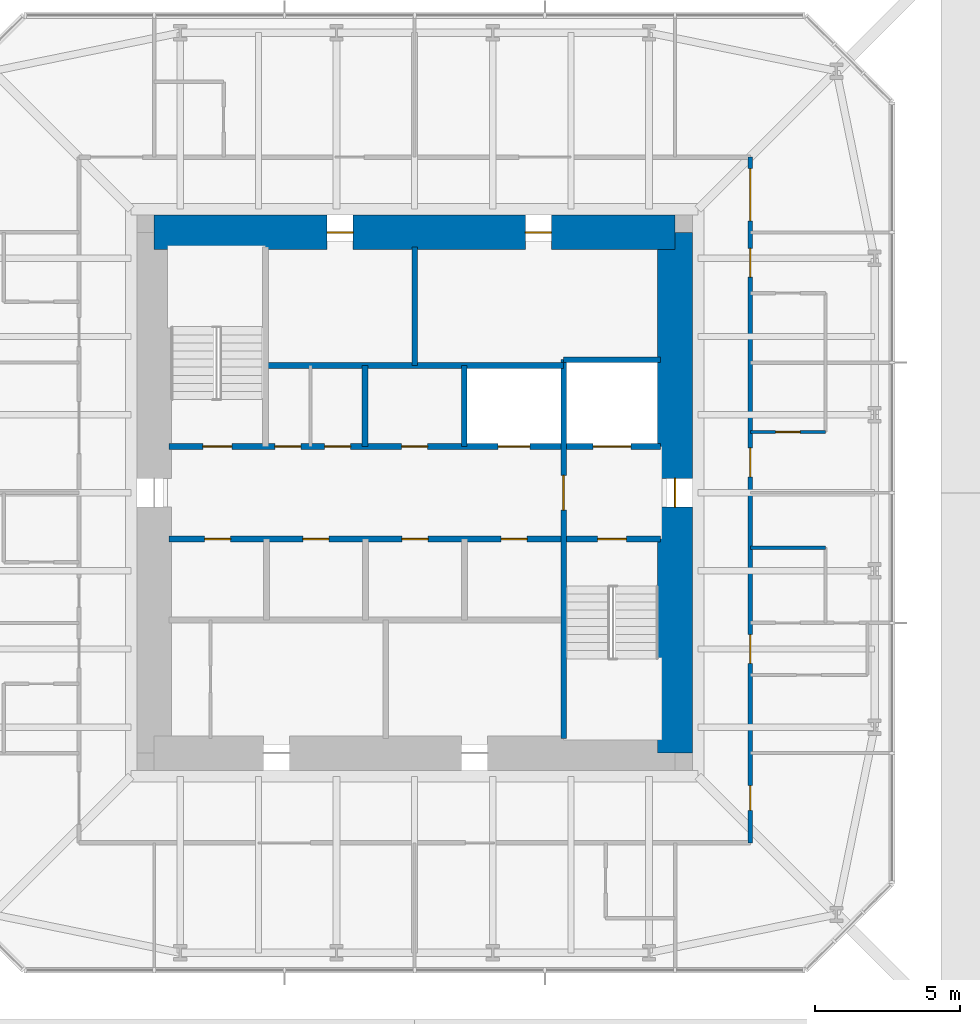
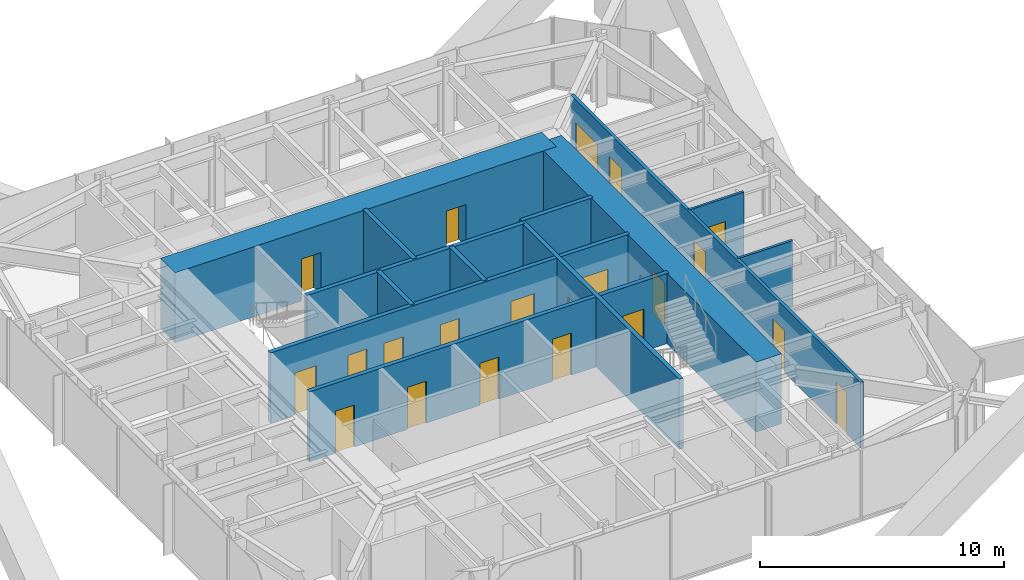
# One storey, part 8 of 10: 21 doors, 13 walls, 21 openings.
"""IFC4 building model written with IfcOpenShell, lengths in metres."""

from ifc_helpers import new_model, si_unit, direction, frame, frame_2d, origin, place, context, subcontext, project, spatial, rectangle, extrude, material, layer, layer_set, type_object, element, fill, save


model = new_model("IFC4")

# Units and contexts
model_context = context("Model", 3, precision=1e-05, world=origin(), true_north=direction((0.0, 1.0)))
body_context = subcontext(model_context, "Body", "Model", "MODEL_VIEW")
ifc_project = project(units=[si_unit("LENGTHUNIT", "METRE"), si_unit("AREAUNIT", "SQUARE_METRE"), si_unit("VOLUMEUNIT", "CUBIC_METRE"), si_unit("PLANEANGLEUNIT", "RADIAN"), si_unit("MASSUNIT", "GRAM", prefix="KILO")], contexts=[model_context])

# Site, building, storey
site_placement = place(None, origin())
site = spatial("IfcSite", under=ifc_project, at=site_placement, CompositionType="ELEMENT")
building_placement = place(site_placement, origin())
building = spatial("IfcBuilding", under=site, at=building_placement, Name="Iwan Alto Co-Living Towers", CompositionType="ELEMENT")
storey_placement = place(building_placement, frame((0.0, 0.0, 260.5)))
storey = spatial("IfcBuildingStorey", under=building, at=storey_placement, Name="L71", CompositionType="ELEMENT", Elevation=260.5)

# Wall, openings, doors
ifc_material_1 = material(Name="Gypsum board")
ifc_layer_1 = layer(ifc_material_1, 0.02490234375, Name="Board", Category="Finish")
ifc_material_2 = material(Name="Steel ASTM A1003 ST33H cold-formed studs", Category="steel")
ifc_layer_2 = layer(ifc_material_2, 0.10009765625, Name="Studs", Category="Framing")
ifc_layer_3 = layer(ifc_material_1, 0.02490234375, Name="Board", Category="Finish")
ifc_layer_set_1 = layer_set([ifc_layer_1, ifc_layer_2, ifc_layer_3], Name="CORRIDOR WALL 150")
wall_type_1 = type_object("IfcWallType", Name="CORRIDOR WALL 150", PredefinedType="PARTITIONING", material=ifc_layer_set_1)
wall_1_placement = place(storey_placement, frame((11.60009765625, -12.10009765625, 0.0), z_axis=(0.0, 0.0, 1.0), x_axis=(0.0, 1.0, 0.0)))
wall_1 = element("IfcWall", 1, at=wall_1_placement, inside=storey, type_object=wall_type_1, Name="Partition L71", PredefinedType="PARTITIONING", context=body_context, shape_type="SweptSolid", body=[
    extrude(rectangle(XDim=23.7001953125, YDim=0.14990234375, at=frame_2d((11.85009765625, 0.0))), origin(), (0.0, 0.0, 1.0), 3.27001953125),
])
opening_1_placement = place(wall_1_placement, frame((6.199951171875, 0.0, 0.0)))
opening_1 = element("IfcOpeningElement", 2, at=opening_1_placement, cuts=wall_1, Name="Opening D3", PredefinedType="OPENING", context=body_context, shape_type="SweptSolid", body=[
    extrude(rectangle(XDim=1.0, YDim=2.10009765625, at=frame_2d((0.5, 1.050048828125))), frame((0.0, 0.0849609375, 0.0), z_axis=(0.0, -1.0, 0.0), x_axis=(1.0, 0.0, 0.0)), (0.0, 0.0, 1.0), 0.169921875),
])
opening_2_placement = place(wall_1_placement, frame((12.64990234375, 0.0, 0.0)))
opening_2 = element("IfcOpeningElement", 3, at=opening_2_placement, cuts=wall_1, Name="Opening D3", PredefinedType="OPENING", context=body_context, shape_type="SweptSolid", body=[
    extrude(rectangle(XDim=1.0, YDim=2.10009765625, at=frame_2d((0.5, 1.050048828125))), frame((0.0, 0.0849609375, 0.0), z_axis=(0.0, -1.0, 0.0), x_axis=(1.0, 0.0, 0.0)), (0.0, 0.0, 1.0), 0.169921875),
])
opening_3_placement = place(wall_1_placement, frame((19.550048828125, 0.0, 0.0)))
opening_3 = element("IfcOpeningElement", 4, at=opening_3_placement, cuts=wall_1, Name="Opening D3", PredefinedType="OPENING", context=body_context, shape_type="SweptSolid", body=[
    extrude(rectangle(XDim=1.0, YDim=2.10009765625, at=frame_2d((0.5, 1.050048828125))), frame((0.0, 0.0849609375, 0.0), z_axis=(0.0, -1.0, 0.0), x_axis=(1.0, 0.0, 0.0)), (0.0, 0.0, 1.0), 0.169921875),
])
opening_4_placement = place(wall_1_placement, frame((21.5, 0.0, 0.0)))
opening_4 = element("IfcOpeningElement", 5, at=opening_4_placement, cuts=wall_1, Name="Opening D9", PredefinedType="OPENING", context=body_context, shape_type="SweptSolid", body=[
    extrude(rectangle(XDim=1.800048828125, YDim=2.10009765625, at=frame_2d((0.89990234375, 1.050048828125))), frame((0.0, 0.0849609375, 0.0), z_axis=(0.0, -1.0, 0.0), x_axis=(1.0, 0.0, 0.0)), (0.0, 0.0, 1.0), 0.169921875),
])
opening_5_placement = place(wall_1_placement, frame((1.125, 0.0, 0.0)))
opening_5 = element("IfcOpeningElement", 6, at=opening_5_placement, cuts=wall_1, Name="Opening D2", PredefinedType="OPENING", context=body_context, shape_type="SweptSolid", body=[
    extrude(rectangle(XDim=0.85009765625, YDim=2.10009765625, at=frame_2d((0.425048828125, 1.050048828125))), frame((0.0, 0.0849609375, 0.0), z_axis=(0.0, -1.0, 0.0), x_axis=(1.0, 0.0, 0.0)), (0.0, 0.0, 1.0), 0.169921875),
])
ifc_material_3 = material(Name="Steel frame with timber leaf", Category="steel")
door_type_1 = type_object("IfcDoorType", Name="FLAT ENTRANCE DOOR FD30S 1000X2100", OperationType="SINGLE_SWING_LEFT", PredefinedType="DOOR", material=ifc_material_3)
door_1_placement = place(opening_1_placement, frame((1.0, 0.0, 0.0), z_axis=(0.0, 0.0, 1.0), x_axis=(-1.0, 0.0, 0.0)))
door_1 = element("IfcDoor", 7, at=door_1_placement, inside=storey, type_object=door_type_1, Name="Apartment foyer door L71", OperationType="SINGLE_SWING_RIGHT", OverallHeight=2.10009765625, OverallWidth=1.0, PredefinedType="DOOR", context=body_context, shape_type="SweptSolid", body=[
    extrude(rectangle(XDim=1.0, YDim=2.10009765625, at=frame_2d((0.5, 1.050048828125))), frame((0.0, 0.02490234375, 0.0), z_axis=(0.0, -1.0, 0.0), x_axis=(1.0, 0.0, 0.0)), (0.0, 0.0, 1.0), 0.050048828125),
])
fill(opening_1, door_1)
door_2_placement = place(opening_2_placement, frame((1.0, 0.0, 0.0), z_axis=(0.0, 0.0, 1.0), x_axis=(-1.0, 0.0, 0.0)))
door_2 = element("IfcDoor", 8, at=door_2_placement, inside=storey, type_object=door_type_1, Name="Studio door L71", OperationType="SINGLE_SWING_RIGHT", OverallHeight=2.10009765625, OverallWidth=1.0, PredefinedType="DOOR", context=body_context, shape_type="SweptSolid", body=[
    extrude(rectangle(XDim=1.0, YDim=2.10009765625, at=frame_2d((0.5, 1.050048828125))), frame((0.0, 0.02490234375, 0.0), z_axis=(0.0, -1.0, 0.0), x_axis=(1.0, 0.0, 0.0)), (0.0, 0.0, 1.0), 0.050048828125),
])
fill(opening_2, door_2)
door_3_placement = place(opening_3_placement, frame((1.0, 0.0, 0.0), z_axis=(0.0, 0.0, 1.0), x_axis=(-1.0, 0.0, 0.0)))
door_3 = element("IfcDoor", 9, at=door_3_placement, inside=storey, type_object=door_type_1, Name="Studio door L71", OperationType="SINGLE_SWING_RIGHT", OverallHeight=2.10009765625, OverallWidth=1.0, PredefinedType="DOOR", context=body_context, shape_type="SweptSolid", body=[
    extrude(rectangle(XDim=1.0, YDim=2.10009765625, at=frame_2d((0.5, 1.050048828125))), frame((0.0, 0.02490234375, 0.0), z_axis=(0.0, -1.0, 0.0), x_axis=(1.0, 0.0, 0.0)), (0.0, 0.0, 1.0), 0.050048828125),
])
fill(opening_3, door_3)
ifc_material_4 = material(Name="Steel frame with timber leaf", Category="steel")
door_type_2 = type_object("IfcDoorType", Name="LOUNGE DOOR FD30S 1800X2100", OperationType="DOUBLE_DOOR_SINGLE_SWING", PredefinedType="DOOR", material=ifc_material_4)
door_4_placement = place(opening_4_placement, frame((1.800048828125, 0.0, 0.0), z_axis=(0.0, 0.0, 1.0), x_axis=(-1.0, 0.0, 0.0)))
door_4 = element("IfcDoor", 10, at=door_4_placement, inside=storey, type_object=door_type_2, Name="Study lounge door L71", OperationType="DOUBLE_DOOR_SINGLE_SWING", OverallHeight=2.10009765625, OverallWidth=1.800048828125, PredefinedType="DOOR", context=body_context, shape_type="SweptSolid", body=[
    extrude(rectangle(XDim=1.800048828125, YDim=2.10009765625, at=frame_2d((0.89990234375, 1.050048828125))), frame((0.0, 0.02490234375, 0.0), z_axis=(0.0, -1.0, 0.0), x_axis=(1.0, 0.0, 0.0)), (0.0, 0.0, 1.0), 0.050048828125),
])
fill(opening_4, door_4)
ifc_material_5 = material(Name="Timber leaf in steel frame", Category="steel")
door_type_3 = type_object("IfcDoorType", Name="ROOM DOOR 850X2100", OperationType="SINGLE_SWING_LEFT", PredefinedType="DOOR", material=ifc_material_5)
door_5_placement = place(opening_5_placement, frame((0.85009765625, 0.0, 0.0), z_axis=(0.0, 0.0, 1.0), x_axis=(-1.0, 0.0, 0.0)))
door_5 = element("IfcDoor", 11, at=door_5_placement, inside=storey, type_object=door_type_3, Name="Shared kitchen and lounge door L71", OperationType="SINGLE_SWING_LEFT", OverallHeight=2.10009765625, OverallWidth=0.85009765625, PredefinedType="DOOR", context=body_context, shape_type="SweptSolid", body=[
    extrude(rectangle(XDim=0.85009765625, YDim=2.10009765625, at=frame_2d((0.425048828125, 1.050048828125))), frame((0.0, 0.02490234375, 0.0), z_axis=(0.0, -1.0, 0.0), x_axis=(1.0, 0.0, 0.0)), (0.0, 0.0, 1.0), 0.050048828125),
])
fill(opening_5, door_5)

ifc_material_6 = material(Name="Concrete f'c 70 MPa", Category="concrete")
ifc_layer_4 = layer(ifc_material_6, 0.199951171875)
ifc_layer_set_2 = layer_set([ifc_layer_4], Name="SHAFT WALL 200")
wall_type_2 = type_object("IfcWallType", Name="SHAFT WALL 200", PredefinedType="SOLIDWALL", material=ifc_layer_set_2)
wall_2_placement = place(storey_placement, frame((-8.489990234375, -1.60009765625, 0.0), z_axis=(0.0, 0.0, 1.0), x_axis=(1.0, 0.0, 0.0)))
wall_2 = element("IfcWall", 12, at=wall_2_placement, inside=storey, type_object=wall_type_2, Name="Shaft wall L71", PredefinedType="SOLIDWALL", context=body_context, shape_type="SweptSolid", body=[
    extrude(rectangle(XDim=16.97998046875, YDim=0.199951171875, at=frame_2d((8.489990234375, 0.0))), origin(), (0.0, 0.0, 1.0), 3.5),
])
opening_6_placement = place(wall_2_placement, frame((14.81005859375, 0.0, 0.0)))
opening_6 = element("IfcOpeningElement", 13, at=opening_6_placement, cuts=wall_2, Name="Opening D5", PredefinedType="OPENING", context=body_context, shape_type="SweptSolid", body=[
    extrude(rectangle(XDim=1.0, YDim=2.10009765625, at=frame_2d((0.5, 1.050048828125))), frame((0.0, 0.10986328125, 0.0), z_axis=(0.0, -1.0, 0.0), x_axis=(1.0, 0.0, 0.0)), (0.0, 0.0, 1.0), 0.219970703125),
])
opening_7_placement = place(wall_2_placement, frame((1.23193359375, 0.0, 0.0)))
opening_7 = element("IfcOpeningElement", 14, at=opening_7_placement, cuts=wall_2, Name="Opening D15", PredefinedType="OPENING", context=body_context, shape_type="SweptSolid", body=[
    extrude(rectangle(XDim=0.89990234375, YDim=2.10009765625, at=frame_2d((0.449951171875, 1.050048828125))), frame((0.0, 0.10986328125, 0.0), z_axis=(0.0, -1.0, 0.0), x_axis=(1.0, 0.0, 0.0)), (0.0, 0.0, 1.0), 0.219970703125),
])
opening_8_placement = place(wall_2_placement, frame((4.626953125, 0.0, 0.0)))
opening_8 = element("IfcOpeningElement", 15, at=opening_8_placement, cuts=wall_2, Name="Opening D15", PredefinedType="OPENING", context=body_context, shape_type="SweptSolid", body=[
    extrude(rectangle(XDim=0.89990234375, YDim=2.10009765625, at=frame_2d((0.449951171875, 1.050048828125))), frame((0.0, 0.10986328125, 0.0), z_axis=(0.0, -1.0, 0.0), x_axis=(1.0, 0.0, 0.0)), (0.0, 0.0, 1.0), 0.219970703125),
])
opening_9_placement = place(wall_2_placement, frame((8.052001953125, 0.0, 0.0)))
opening_9 = element("IfcOpeningElement", 16, at=opening_9_placement, cuts=wall_2, Name="Opening D15", PredefinedType="OPENING", context=body_context, shape_type="SweptSolid", body=[
    extrude(rectangle(XDim=0.89990234375, YDim=2.10009765625, at=frame_2d((0.449951171875, 1.050048828125))), frame((0.0, 0.10986328125, 0.0), z_axis=(0.0, -1.0, 0.0), x_axis=(1.0, 0.0, 0.0)), (0.0, 0.0, 1.0), 0.219970703125),
])
opening_10_placement = place(wall_2_placement, frame((11.47802734375, 0.0, 0.0)))
opening_10 = element("IfcOpeningElement", 17, at=opening_10_placement, cuts=wall_2, Name="Opening D15", PredefinedType="OPENING", context=body_context, shape_type="SweptSolid", body=[
    extrude(rectangle(XDim=0.89990234375, YDim=2.10009765625, at=frame_2d((0.449951171875, 1.050048828125))), frame((0.0, 0.10986328125, 0.0), z_axis=(0.0, -1.0, 0.0), x_axis=(1.0, 0.0, 0.0)), (0.0, 0.0, 1.0), 0.219970703125),
])
ifc_material_7 = material(Name="Steel frame with timber leaf", Category="steel")
door_type_4 = type_object("IfcDoorType", Name="CORE ROOM DOOR FD60S 900X2100", OperationType="SINGLE_SWING_LEFT", PredefinedType="DOOR", material=ifc_material_7)
door_6_placement = place(opening_7_placement, frame((0.89990234375, 0.0, 0.0), z_axis=(0.0, 0.0, 1.0), x_axis=(-1.0, 0.0, 0.0)))
door_6 = element("IfcDoor", 18, at=door_6_placement, inside=storey, type_object=door_type_4, Name="Guest pantry door L71", OperationType="SINGLE_SWING_LEFT", OverallHeight=2.10009765625, OverallWidth=0.89990234375, PredefinedType="DOOR", context=body_context, shape_type="SweptSolid", body=[
    extrude(rectangle(XDim=0.89990234375, YDim=2.10009765625, at=frame_2d((0.449951171875, 1.050048828125))), frame((0.0, 0.02490234375, 0.0), z_axis=(0.0, -1.0, 0.0), x_axis=(1.0, 0.0, 0.0)), (0.0, 0.0, 1.0), 0.050048828125),
])
fill(opening_7, door_6)
door_7_placement = place(opening_8_placement, frame((0.89990234375, 0.0, 0.0), z_axis=(0.0, 0.0, 1.0), x_axis=(-1.0, 0.0, 0.0)))
door_7 = element("IfcDoor", 19, at=door_7_placement, inside=storey, type_object=door_type_4, Name="Linen store door L71", OperationType="SINGLE_SWING_RIGHT", OverallHeight=2.10009765625, OverallWidth=0.89990234375, PredefinedType="DOOR", context=body_context, shape_type="SweptSolid", body=[
    extrude(rectangle(XDim=0.89990234375, YDim=2.10009765625, at=frame_2d((0.449951171875, 1.050048828125))), frame((0.0, 0.02490234375, 0.0), z_axis=(0.0, -1.0, 0.0), x_axis=(1.0, 0.0, 0.0)), (0.0, 0.0, 1.0), 0.050048828125),
])
fill(opening_8, door_7)
door_8_placement = place(opening_9_placement, frame((0.89990234375, 0.0, 0.0), z_axis=(0.0, 0.0, 1.0), x_axis=(-1.0, 0.0, 0.0)))
door_8 = element("IfcDoor", 20, at=door_8_placement, inside=storey, type_object=door_type_4, Name="Linen and housekeeping store door L71", OperationType="SINGLE_SWING_RIGHT", OverallHeight=2.10009765625, OverallWidth=0.89990234375, PredefinedType="DOOR", context=body_context, shape_type="SweptSolid", body=[
    extrude(rectangle(XDim=0.89990234375, YDim=2.10009765625, at=frame_2d((0.449951171875, 1.050048828125))), frame((0.0, 0.02490234375, 0.0), z_axis=(0.0, -1.0, 0.0), x_axis=(1.0, 0.0, 0.0)), (0.0, 0.0, 1.0), 0.050048828125),
])
fill(opening_9, door_8)
door_9_placement = place(opening_10_placement, frame((0.89990234375, 0.0, 0.0), z_axis=(0.0, 0.0, 1.0), x_axis=(-1.0, 0.0, 0.0)))
door_9 = element("IfcDoor", 21, at=door_9_placement, inside=storey, type_object=door_type_4, Name="Vending and ice room door L71", OperationType="SINGLE_SWING_RIGHT", OverallHeight=2.10009765625, OverallWidth=0.89990234375, PredefinedType="DOOR", context=body_context, shape_type="SweptSolid", body=[
    extrude(rectangle(XDim=0.89990234375, YDim=2.10009765625, at=frame_2d((0.449951171875, 1.050048828125))), frame((0.0, 0.02490234375, 0.0), z_axis=(0.0, -1.0, 0.0), x_axis=(1.0, 0.0, 0.0)), (0.0, 0.0, 1.0), 0.050048828125),
])
fill(opening_10, door_9)
ifc_material_8 = material(Name="Steel frame with timber leaf", Category="steel")
door_type_5 = type_object("IfcDoorType", Name="STAIR DOOR FD120S 1000X2100", OperationType="SINGLE_SWING_LEFT", PredefinedType="DOOR", material=ifc_material_8)
door_10_placement = place(opening_6_placement, frame((1.0, 0.0, 0.0), z_axis=(0.0, 0.0, 1.0), x_axis=(-1.0, 0.0, 0.0)))
door_10 = element("IfcDoor", 22, at=door_10_placement, inside=storey, type_object=door_type_5, Name="Stair S2 door L71", OperationType="SINGLE_SWING_RIGHT", OverallHeight=2.10009765625, OverallWidth=1.0, PredefinedType="DOOR", context=body_context, shape_type="SweptSolid", body=[
    extrude(rectangle(XDim=1.0, YDim=2.10009765625, at=frame_2d((0.5, 1.050048828125))), frame((0.0, 0.02490234375, 0.0), z_axis=(0.0, -1.0, 0.0), x_axis=(1.0, 0.0, 0.0)), (0.0, 0.0, 1.0), 0.050048828125),
])
fill(opening_6, door_10)

wall_3_placement = place(storey_placement, frame((-8.489990234375, 1.60009765625, 0.0), z_axis=(0.0, 0.0, 1.0), x_axis=(1.0, 0.0, 0.0)))
wall_3 = element("IfcWall", 23, at=wall_3_placement, inside=storey, type_object=wall_type_2, Name="Shaft wall L71", PredefinedType="SOLIDWALL", context=body_context, shape_type="SweptSolid", body=[
    extrude(rectangle(XDim=16.97998046875, YDim=0.199951171875, at=frame_2d((8.489990234375, 0.0))), origin(), (0.0, 0.0, 1.0), 3.5),
])
opening_11_placement = place(wall_3_placement, frame((1.169921875, 0.0, 0.0)))
opening_11 = element("IfcOpeningElement", 24, at=opening_11_placement, cuts=wall_3, Name="Opening D5", PredefinedType="OPENING", context=body_context, shape_type="SweptSolid", body=[
    extrude(rectangle(XDim=1.0, YDim=2.10009765625, at=frame_2d((0.5, 1.050048828125))), frame((0.0, 0.10986328125, 0.0), z_axis=(0.0, -1.0, 0.0), x_axis=(1.0, 0.0, 0.0)), (0.0, 0.0, 1.0), 0.219970703125),
])
opening_12_placement = place(wall_3_placement, frame((5.37890625, 0.0, 0.0)))
opening_12 = element("IfcOpeningElement", 25, at=opening_12_placement, cuts=wall_3, Name="Opening D15", PredefinedType="OPENING", context=body_context, shape_type="SweptSolid", body=[
    extrude(rectangle(XDim=0.89990234375, YDim=2.10009765625, at=frame_2d((0.449951171875, 1.050048828125))), frame((0.0, 0.10986328125, 0.0), z_axis=(0.0, -1.0, 0.0), x_axis=(1.0, 0.0, 0.0)), (0.0, 0.0, 1.0), 0.219970703125),
])
opening_13_placement = place(wall_3_placement, frame((3.662109375, 0.0, 0.0)))
opening_13 = element("IfcOpeningElement", 26, at=opening_13_placement, cuts=wall_3, Name="Opening D15", PredefinedType="OPENING", context=body_context, shape_type="SweptSolid", body=[
    extrude(rectangle(XDim=0.89990234375, YDim=2.10009765625, at=frame_2d((0.449951171875, 1.050048828125))), frame((0.0, 0.10986328125, 0.0), z_axis=(0.0, -1.0, 0.0), x_axis=(1.0, 0.0, 0.0)), (0.0, 0.0, 1.0), 0.219970703125),
])
opening_14_placement = place(wall_3_placement, frame((8.0400390625, 0.0, 0.0)))
opening_14 = element("IfcOpeningElement", 27, at=opening_14_placement, cuts=wall_3, Name="Opening D15", PredefinedType="OPENING", context=body_context, shape_type="SweptSolid", body=[
    extrude(rectangle(XDim=0.89990234375, YDim=2.10009765625, at=frame_2d((0.449951171875, 1.050048828125))), frame((0.0, 0.10986328125, 0.0), z_axis=(0.0, -1.0, 0.0), x_axis=(1.0, 0.0, 0.0)), (0.0, 0.0, 1.0), 0.219970703125),
])
opening_15_placement = place(wall_3_placement, frame((11.3740234375, 0.0, 0.0)))
opening_15 = element("IfcOpeningElement", 28, at=opening_15_placement, cuts=wall_3, Name="Opening LD", PredefinedType="OPENING", context=body_context, shape_type="SweptSolid", body=[
    extrude(rectangle(XDim=1.10009765625, YDim=2.10009765625, at=frame_2d((0.550048828125, 1.050048828125))), frame((0.0, 0.10986328125, 0.0), z_axis=(0.0, -1.0, 0.0), x_axis=(1.0, 0.0, 0.0)), (0.0, 0.0, 1.0), 0.219970703125),
])
opening_16_placement = place(wall_3_placement, frame((14.659912109375, 0.0, 0.0)))
opening_16 = element("IfcOpeningElement", 29, at=opening_16_placement, cuts=wall_3, Name="Opening LD2", PredefinedType="OPENING", context=body_context, shape_type="SweptSolid", body=[
    extrude(rectangle(XDim=1.300048828125, YDim=2.10009765625, at=frame_2d((0.64990234375, 1.050048828125))), frame((0.0, 0.10986328125, 0.0), z_axis=(0.0, -1.0, 0.0), x_axis=(1.0, 0.0, 0.0)), (0.0, 0.0, 1.0), 0.219970703125),
])
door_11_placement = place(opening_12_placement, origin())
door_11 = element("IfcDoor", 30, at=door_11_placement, inside=storey, type_object=door_type_4, Name="IT room door L71", OperationType="SINGLE_SWING_LEFT", OverallHeight=2.10009765625, OverallWidth=0.89990234375, PredefinedType="DOOR", context=body_context, shape_type="SweptSolid", body=[
    extrude(rectangle(XDim=0.89990234375, YDim=2.10009765625, at=frame_2d((0.449951171875, 1.050048828125))), frame((0.0, 0.02490234375, 0.0), z_axis=(0.0, -1.0, 0.0), x_axis=(1.0, 0.0, 0.0)), (0.0, 0.0, 1.0), 0.050048828125),
])
fill(opening_12, door_11)
door_12_placement = place(opening_13_placement, origin())
door_12 = element("IfcDoor", 31, at=door_12_placement, inside=storey, type_object=door_type_4, Name="Vending and ice room door L71", OperationType="SINGLE_SWING_LEFT", OverallHeight=2.10009765625, OverallWidth=0.89990234375, PredefinedType="DOOR", context=body_context, shape_type="SweptSolid", body=[
    extrude(rectangle(XDim=0.89990234375, YDim=2.10009765625, at=frame_2d((0.449951171875, 1.050048828125))), frame((0.0, 0.02490234375, 0.0), z_axis=(0.0, -1.0, 0.0), x_axis=(1.0, 0.0, 0.0)), (0.0, 0.0, 1.0), 0.050048828125),
])
fill(opening_13, door_12)
door_13_placement = place(opening_14_placement, origin())
door_13 = element("IfcDoor", 32, at=door_13_placement, inside=storey, type_object=door_type_4, Name="Cleaner's store door L71", OperationType="SINGLE_SWING_LEFT", OverallHeight=2.10009765625, OverallWidth=0.89990234375, PredefinedType="DOOR", context=body_context, shape_type="SweptSolid", body=[
    extrude(rectangle(XDim=0.89990234375, YDim=2.10009765625, at=frame_2d((0.449951171875, 1.050048828125))), frame((0.0, 0.02490234375, 0.0), z_axis=(0.0, -1.0, 0.0), x_axis=(1.0, 0.0, 0.0)), (0.0, 0.0, 1.0), 0.050048828125),
])
fill(opening_14, door_13)
ifc_material_9 = material(Name="Steel frame with timber leaf", Category="steel")
door_type_6 = type_object("IfcDoorType", Name="LIFT LANDING DOOR 1100X2100", OperationType="DOUBLE_DOOR_SLIDING", PredefinedType="DOOR", material=ifc_material_9)
door_14_placement = place(opening_15_placement, origin())
door_14 = element("IfcDoor", 33, at=door_14_placement, inside=storey, type_object=door_type_6, Name="Lift P4-3 landing door L71", OperationType="DOUBLE_DOOR_SLIDING", OverallHeight=2.10009765625, OverallWidth=1.10009765625, PredefinedType="DOOR", context=body_context, shape_type="SweptSolid", body=[
    extrude(rectangle(XDim=1.10009765625, YDim=2.10009765625, at=frame_2d((0.550048828125, 1.050048828125))), frame((0.0, 0.02490234375, 0.0), z_axis=(0.0, -1.0, 0.0), x_axis=(1.0, 0.0, 0.0)), (0.0, 0.0, 1.0), 0.050048828125),
])
fill(opening_15, door_14)
ifc_material_10 = material(Name="Steel frame with timber leaf", Category="steel")
door_type_7 = type_object("IfcDoorType", Name="LIFT LANDING DOOR 1300X2100", OperationType="SLIDING_TO_LEFT", PredefinedType="DOOR", material=ifc_material_10)
door_15_placement = place(opening_16_placement, origin())
door_15 = element("IfcDoor", 34, at=door_15_placement, inside=storey, type_object=door_type_7, Name="Lift FL1 landing door L71", OperationType="SLIDING_TO_LEFT", OverallHeight=2.10009765625, OverallWidth=1.300048828125, PredefinedType="DOOR", context=body_context, shape_type="SweptSolid", body=[
    extrude(rectangle(XDim=1.300048828125, YDim=2.10009765625, at=frame_2d((0.64990234375, 1.050048828125))), frame((0.0, 0.02490234375, 0.0), z_axis=(0.0, -1.0, 0.0), x_axis=(1.0, 0.0, 0.0)), (0.0, 0.0, 1.0), 0.050048828125),
])
fill(opening_16, door_15)
door_16_placement = place(opening_11_placement, origin())
door_16 = element("IfcDoor", 35, at=door_16_placement, inside=storey, type_object=door_type_5, Name="Stair S1 door L71", OperationType="SINGLE_SWING_RIGHT", OverallHeight=2.10009765625, OverallWidth=1.0, PredefinedType="DOOR", context=body_context, shape_type="SweptSolid", body=[
    extrude(rectangle(XDim=1.0, YDim=2.10009765625, at=frame_2d((0.5, 1.050048828125))), frame((0.0, 0.02490234375, 0.0), z_axis=(0.0, -1.0, 0.0), x_axis=(1.0, 0.0, 0.0)), (0.0, 0.0, 1.0), 0.050048828125),
])
fill(opening_11, door_16)

# Walls
wall_4_placement = place(storey_placement, frame((-5.14990234375, 4.39990234375, 0.0), z_axis=(0.0, 0.0, 1.0), x_axis=(1.0, 0.0, 0.0)))
element("IfcWall", 36, at=wall_4_placement, inside=storey, type_object=wall_type_2, Name="Shaft wall L71", PredefinedType="SOLIDWALL", context=body_context, shape_type="SweptSolid", body=[
    extrude(rectangle(XDim=10.2998046875, YDim=0.199951171875, at=frame_2d((5.14990234375, 0.0))), origin(), (0.0, 0.0, 1.0), 3.5),
])
wall_5_placement = place(storey_placement, frame((5.14990234375, 4.60009765625, 0.0), z_axis=(0.0, 0.0, 1.0), x_axis=(1.0, 0.0, 0.0)))
element("IfcWall", 37, at=wall_5_placement, inside=storey, type_object=wall_type_2, Name="Shaft wall L71", PredefinedType="SOLIDWALL", context=body_context, shape_type="SweptSolid", body=[
    extrude(rectangle(XDim=3.340087890625, YDim=0.199951171875, at=frame_2d((1.669921875, 0.0))), origin(), (0.0, 0.0, 1.0), 3.5),
])

# Wall, opening, door
wall_6_placement = place(storey_placement, frame((5.14990234375, -8.489990234375, 0.0), z_axis=(0.0, 0.0, 1.0), x_axis=(0.0, 1.0, 0.0)))
wall_6 = element("IfcWall", 38, at=wall_6_placement, inside=storey, type_object=wall_type_2, Name="Shaft wall L71", PredefinedType="SOLIDWALL", context=body_context, shape_type="SweptSolid", body=[
    extrude(rectangle(XDim=13.090087890625, YDim=0.199951171875, at=frame_2d((6.544921875, 0.0))), origin(), (0.0, 0.0, 1.0), 3.5),
])
opening_17_placement = place(wall_6_placement, frame((7.889892578125, 0.0, 0.0)))
opening_17 = element("IfcOpeningElement", 39, at=opening_17_placement, cuts=wall_6, Name="Opening D6", PredefinedType="OPENING", context=body_context, shape_type="SweptSolid", body=[
    extrude(rectangle(XDim=1.199951171875, YDim=2.10009765625, at=frame_2d((0.60009765625, 1.050048828125))), frame((0.0, 0.10986328125, 0.0), z_axis=(0.0, -1.0, 0.0), x_axis=(1.0, 0.0, 0.0)), (0.0, 0.0, 1.0), 0.219970703125),
])
ifc_material_11 = material(Name="Steel frame with timber leaf", Category="steel")
door_type_8 = type_object("IfcDoorType", Name="LOBBY DOOR FD120S 1200X2100", OperationType="SINGLE_SWING_LEFT", PredefinedType="DOOR", material=ifc_material_11)
door_17_placement = place(opening_17_placement, frame((1.199951171875, 0.0, 0.0), z_axis=(0.0, 0.0, 1.0), x_axis=(-1.0, 0.0, 0.0)))
door_17 = element("IfcDoor", 40, at=door_17_placement, inside=storey, type_object=door_type_8, Name="Firefighting lobby door L71", OperationType="SINGLE_SWING_RIGHT", OverallHeight=2.10009765625, OverallWidth=1.199951171875, PredefinedType="DOOR", context=body_context, shape_type="SweptSolid", body=[
    extrude(rectangle(XDim=1.199951171875, YDim=2.10009765625, at=frame_2d((0.60009765625, 1.050048828125))), frame((0.0, 0.02490234375, 0.0), z_axis=(0.0, -1.0, 0.0), x_axis=(1.0, 0.0, 0.0)), (0.0, 0.0, 1.0), 0.050048828125),
])
fill(opening_17, door_17)

# Walls
wall_7_placement = place(storey_placement, frame((1.717041015625, 1.60009765625, 0.0), z_axis=(0.0, 0.0, 1.0), x_axis=(0.0, 1.0, 0.0)))
element("IfcWall", 41, at=wall_7_placement, inside=storey, type_object=wall_type_2, Name="Shaft wall L71", PredefinedType="SOLIDWALL", context=body_context, shape_type="SweptSolid", body=[
    extrude(rectangle(XDim=2.7998046875, YDim=0.199951171875, at=frame_2d((1.39990234375, 0.0))), origin(), (0.0, 0.0, 1.0), 3.5),
])
wall_8_placement = place(storey_placement, frame((0.0, 4.39990234375, 0.0), z_axis=(0.0, 0.0, 1.0), x_axis=(0.0, 1.0, 0.0)))
element("IfcWall", 42, at=wall_8_placement, inside=storey, type_object=wall_type_2, Name="Shaft wall L71", PredefinedType="SOLIDWALL", context=body_context, shape_type="SweptSolid", body=[
    extrude(rectangle(XDim=4.090087890625, YDim=0.199951171875, at=frame_2d((2.044921875, 0.0))), origin(), (0.0, 0.0, 1.0), 3.5),
])
wall_9_placement = place(storey_placement, frame((-1.717041015625, 1.60009765625, 0.0), z_axis=(0.0, 0.0, 1.0), x_axis=(0.0, 1.0, 0.0)))
element("IfcWall", 43, at=wall_9_placement, inside=storey, type_object=wall_type_2, Name="Shaft wall L71", PredefinedType="SOLIDWALL", context=body_context, shape_type="SweptSolid", body=[
    extrude(rectangle(XDim=2.7998046875, YDim=0.199951171875, at=frame_2d((1.39990234375, 0.0))), origin(), (0.0, 0.0, 1.0), 3.5),
])

# Wall, openings, doors
ifc_material_12 = material(Name="Concrete f'c 70 MPa", Category="concrete")
ifc_layer_5 = layer(ifc_material_12, 1.199951171875)
ifc_layer_set_3 = layer_set([ifc_layer_5], Name="T1 CORE WALL 1200")
wall_type_3 = type_object("IfcWallType", Name="T1 CORE WALL 1200", PredefinedType="SHEAR", material=ifc_layer_set_3)
wall_10_placement = place(storey_placement, frame((9.0, 9.0, 0.0), z_axis=(0.0, 0.0, 1.0), x_axis=(-1.0, 0.0, 0.0)))
wall_10 = element("IfcWall", 44, at=wall_10_placement, inside=storey, type_object=wall_type_3, Name="T1 core wall N L71", PredefinedType="SHEAR", context=body_context, shape_type="SweptSolid", body=[
    extrude(rectangle(XDim=18.0, YDim=1.199951171875, at=frame_2d((9.0, 0.0))), origin(), (0.0, 0.0, 1.0), 3.5),
])
opening_18_placement = place(wall_10_placement, frame((11.125, 0.0, 0.0)))
opening_18 = element("IfcOpeningElement", 45, at=opening_18_placement, cuts=wall_10, Name="Opening D8", PredefinedType="OPENING", context=body_context, shape_type="SweptSolid", body=[
    extrude(rectangle(XDim=0.89990234375, YDim=2.10009765625, at=frame_2d((0.449951171875, 1.050048828125))), frame((0.0, 0.60986328125, 0.0), z_axis=(0.0, -1.0, 0.0), x_axis=(1.0, 0.0, 0.0)), (0.0, 0.0, 1.0), 1.219970703125),
])
opening_19_placement = place(wall_10_placement, frame((4.27490234375, 0.0, 0.0)))
opening_19 = element("IfcOpeningElement", 46, at=opening_19_placement, cuts=wall_10, Name="Opening D8", PredefinedType="OPENING", context=body_context, shape_type="SweptSolid", body=[
    extrude(rectangle(XDim=0.89990234375, YDim=2.10009765625, at=frame_2d((0.449951171875, 1.050048828125))), frame((0.0, 0.60986328125, 0.0), z_axis=(0.0, -1.0, 0.0), x_axis=(1.0, 0.0, 0.0)), (0.0, 0.0, 1.0), 1.219970703125),
])
ifc_material_13 = material(Name="Steel frame with timber leaf", Category="steel")
door_type_9 = type_object("IfcDoorType", Name="RISER DOOR FD120 900X2100", OperationType="SINGLE_SWING_LEFT", PredefinedType="DOOR", material=ifc_material_13)
door_18_placement = place(opening_18_placement, origin())
door_18 = element("IfcDoor", 47, at=door_18_placement, inside=storey, type_object=door_type_9, Name="Electrical riser core door L71", OperationType="SINGLE_SWING_RIGHT", OverallHeight=2.10009765625, OverallWidth=0.89990234375, PredefinedType="DOOR", context=body_context, shape_type="SweptSolid", body=[
    extrude(rectangle(XDim=0.89990234375, YDim=2.10009765625, at=frame_2d((0.449951171875, 1.050048828125))), frame((0.0, 0.02490234375, 0.0), z_axis=(0.0, -1.0, 0.0), x_axis=(1.0, 0.0, 0.0)), (0.0, 0.0, 1.0), 0.050048828125),
])
fill(opening_18, door_18)
door_19_placement = place(opening_19_placement, origin())
door_19 = element("IfcDoor", 48, at=door_19_placement, inside=storey, type_object=door_type_9, Name="Water and drainage riser core door L71", OperationType="SINGLE_SWING_RIGHT", OverallHeight=2.10009765625, OverallWidth=0.89990234375, PredefinedType="DOOR", context=body_context, shape_type="SweptSolid", body=[
    extrude(rectangle(XDim=0.89990234375, YDim=2.10009765625, at=frame_2d((0.449951171875, 1.050048828125))), frame((0.0, 0.02490234375, 0.0), z_axis=(0.0, -1.0, 0.0), x_axis=(1.0, 0.0, 0.0)), (0.0, 0.0, 1.0), 0.050048828125),
])
fill(opening_19, door_19)

# Wall, opening, door
wall_11_placement = place(storey_placement, frame((9.0, -9.0, 0.0), z_axis=(0.0, 0.0, 1.0), x_axis=(0.0, 1.0, 0.0)))
wall_11 = element("IfcWall", 49, at=wall_11_placement, inside=storey, type_object=wall_type_3, Name="T1 core wall E L71", PredefinedType="SHEAR", context=body_context, shape_type="SweptSolid", body=[
    extrude(rectangle(XDim=18.0, YDim=1.199951171875, at=frame_2d((9.0, 0.0))), origin(), (0.0, 0.0, 1.0), 3.5),
])
opening_20_placement = place(wall_11_placement, frame((8.5, 0.0, 0.0)))
opening_20 = element("IfcOpeningElement", 50, at=opening_20_placement, cuts=wall_11, Name="Opening D7", PredefinedType="OPENING", context=body_context, shape_type="SweptSolid", body=[
    extrude(rectangle(XDim=1.0, YDim=2.10009765625, at=frame_2d((0.5, 1.050048828125))), frame((0.0, 0.60986328125, 0.0), z_axis=(0.0, -1.0, 0.0), x_axis=(1.0, 0.0, 0.0)), (0.0, 0.0, 1.0), 1.219970703125),
])
ifc_material_14 = material(Name="Steel frame with timber leaf", Category="steel")
door_type_10 = type_object("IfcDoorType", Name="CORE DOOR FD120S 1000X2100", OperationType="SINGLE_SWING_LEFT", PredefinedType="DOOR", material=ifc_material_14)
door_20_placement = place(opening_20_placement, origin())
door_20 = element("IfcDoor", 51, at=door_20_placement, inside=storey, type_object=door_type_10, Name="Firefighting lobby core door L71", OperationType="SINGLE_SWING_LEFT", OverallHeight=2.10009765625, OverallWidth=1.0, PredefinedType="DOOR", context=body_context, shape_type="SweptSolid", body=[
    extrude(rectangle(XDim=1.0, YDim=2.10009765625, at=frame_2d((0.5, 1.050048828125))), frame((0.0, 0.02490234375, 0.0), z_axis=(0.0, -1.0, 0.0), x_axis=(1.0, 0.0, 0.0)), (0.0, 0.0, 1.0), 0.050048828125),
])
fill(opening_20, door_20)

# Wall
ifc_material_15 = material(Name="Cement board")
ifc_layer_6 = layer(ifc_material_15, 0.012451171875, Name="Board", Category="Finish")
ifc_layer_7 = layer(ifc_material_2, 0.094970703125, Name="Studs", Category="Framing")
ifc_layer_8 = layer(ifc_material_15, 0.012451171875, Name="Board", Category="Finish")
ifc_layer_set_4 = layer_set([ifc_layer_6, ifc_layer_7, ifc_layer_8], Name="WET AREA PARTITION 120")
wall_type_4 = type_object("IfcWallType", Name="WET AREA PARTITION 120", PredefinedType="PARTITIONING", material=ifc_layer_set_4)
wall_12_placement = place(storey_placement, frame((11.60009765625, -1.89990234375, 0.0), z_axis=(0.0, 0.0, 1.0), x_axis=(1.0, 0.0, 0.0)))
element("IfcWall", 52, at=wall_12_placement, inside=storey, type_object=wall_type_4, Name="Partition L71", PredefinedType="PARTITIONING", context=body_context, shape_type="SweptSolid", body=[
    extrude(rectangle(XDim=2.599853515625, YDim=0.1201171875, at=frame_2d((1.2998046875, 0.0))), origin(), (0.0, 0.0, 1.0), 3.27001953125),
])

# Wall, opening, door
wall_13_placement = place(storey_placement, frame((11.60009765625, 2.10009765625, 0.0), z_axis=(0.0, 0.0, 1.0), x_axis=(1.0, 0.0, 0.0)))
wall_13 = element("IfcWall", 53, at=wall_13_placement, inside=storey, type_object=wall_type_4, Name="Partition L71", PredefinedType="PARTITIONING", context=body_context, shape_type="SweptSolid", body=[
    extrude(rectangle(XDim=2.599853515625, YDim=0.1201171875, at=frame_2d((1.2998046875, 0.0))), origin(), (0.0, 0.0, 1.0), 3.27001953125),
])
opening_21_placement = place(wall_13_placement, frame((0.875, 0.0, 0.0)))
opening_21 = element("IfcOpeningElement", 54, at=opening_21_placement, cuts=wall_13, Name="Opening D2", PredefinedType="OPENING", context=body_context, shape_type="SweptSolid", body=[
    extrude(rectangle(XDim=0.85009765625, YDim=2.10009765625, at=frame_2d((0.425048828125, 1.050048828125))), frame((0.0, 0.070068359375, 0.0), z_axis=(0.0, -1.0, 0.0), x_axis=(1.0, 0.0, 0.0)), (0.0, 0.0, 1.0), 0.14013671875),
])
door_21_placement = place(opening_21_placement, frame((0.85009765625, 0.0, 0.0), z_axis=(0.0, 0.0, 1.0), x_axis=(-1.0, 0.0, 0.0)))
door_21 = element("IfcDoor", 55, at=door_21_placement, inside=storey, type_object=door_type_3, Name="En-suite shower room door L71", OperationType="SINGLE_SWING_RIGHT", OverallHeight=2.10009765625, OverallWidth=0.85009765625, PredefinedType="DOOR", context=body_context, shape_type="SweptSolid", body=[
    extrude(rectangle(XDim=0.85009765625, YDim=2.10009765625, at=frame_2d((0.425048828125, 1.050048828125))), frame((0.0, 0.02490234375, 0.0), z_axis=(0.0, -1.0, 0.0), x_axis=(1.0, 0.0, 0.0)), (0.0, 0.0, 1.0), 0.050048828125),
])
fill(opening_21, door_21)

save(model, "model.ifc")
